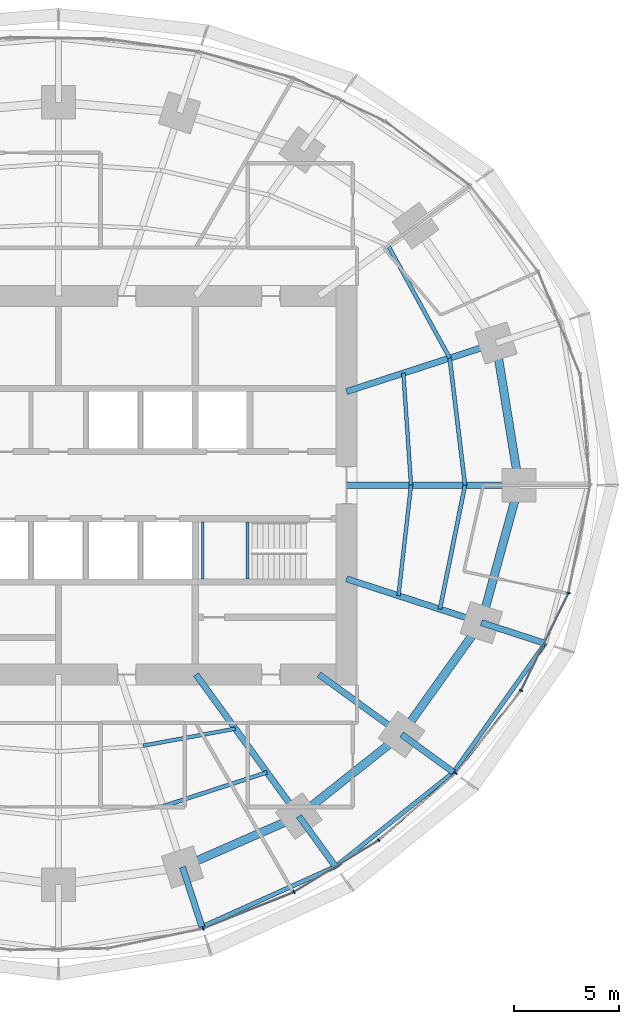
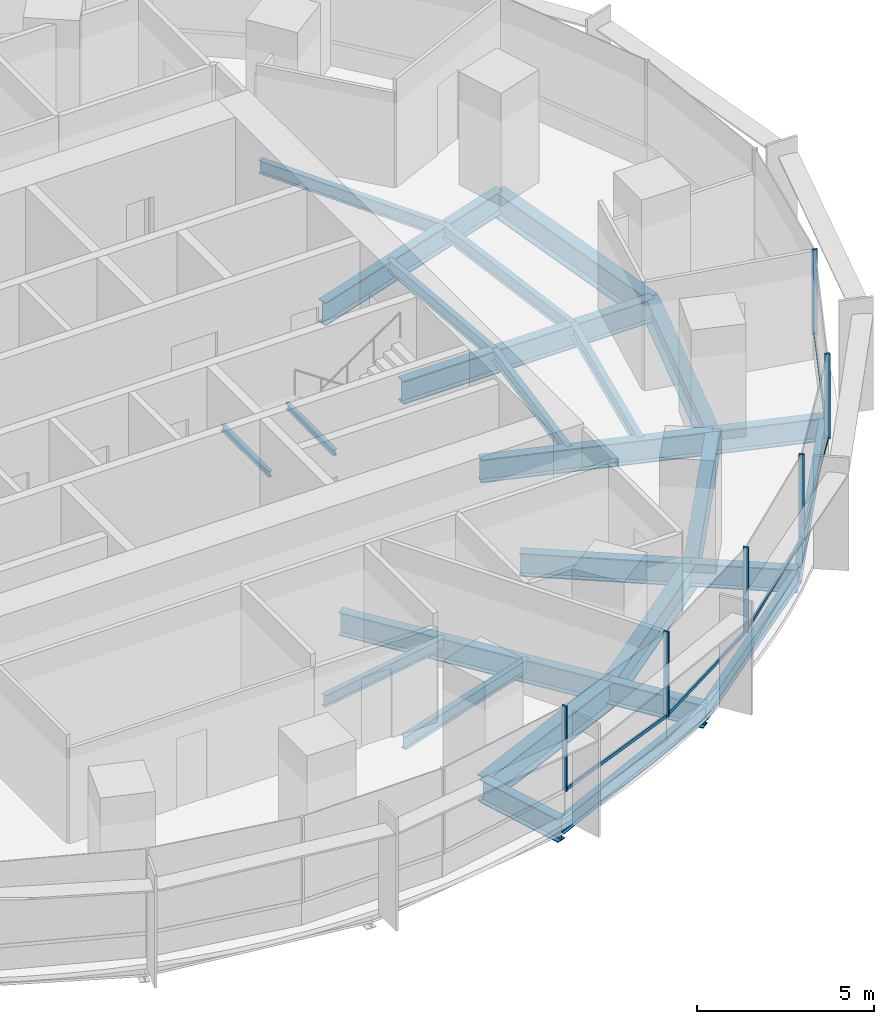
# One storey, part 5 of 14: 26 beams, 11 members, 2 elements without a shape of their own.
"""IFC4 building model written with IfcOpenShell, lengths in metres."""

import ifcopenshell
import ifcopenshell.guid

model = None  # the IFC model being written
_history = None  # IfcOwnerHistory: only IFC2X3 demands one
_inside = {}  # id of a spatial element -> (the spatial element, [elements in it])
_under = {}  # id of a project, library or spatial element -> (it, [spatial elements below it])
_declared = {}  # id of a project -> (the project, [libraries it declares])
_typed = {}  # id of a type object -> (the type object, [elements of that type])
_made_of = {}  # id of a material, layer set ... -> (it, [elements and type objects made of it])


def new_model(schema):
    """Start an empty IFC model of exactly this schema.

    Asked for "IFC4X3", IfcOpenShell would pick the latest addendum, in which some entities
    have other attributes; the version numbers below select the first issue.
    IFC2X3 requires an IfcOwnerHistory on every rooted entity: one is made here for all.
    """
    global model, _history
    if schema == "IFC4X3":
        model = ifcopenshell.file(schema_version=(4, 3, 0, 0))
    else:
        model = ifcopenshell.file(schema=schema)
    _inside.clear()
    _under.clear()
    _declared.clear()
    _typed.clear()
    _made_of.clear()
    _history = None
    if model.schema == "IFC2X3":
        org = make("IfcOrganization", Name="unknown")
        user = make(
            "IfcPersonAndOrganization",
            ThePerson=make("IfcPerson", FamilyName="unknown"),
            TheOrganization=org,
        )
        app = make(
            "IfcApplication",
            ApplicationDeveloper=org,
            Version="unknown",
            ApplicationFullName="unknown",
            ApplicationIdentifier="unknown",
        )
        _history = make(
            "IfcOwnerHistory",
            OwningUser=user,
            OwningApplication=app,
            ChangeAction="ADDED",
            CreationDate=0,
        )
    return model


def make(cls, **values):
    """One entity of the class cls with the attributes given. An attribute that is None is left unset."""
    return model.create_entity(
        cls, **{name: value for name, value in values.items() if value is not None}
    )


def rooted(cls, **values):
    """An entity with a GlobalId (a new one), such as an element, a storey or a relation."""
    return make(cls, GlobalId=ifcopenshell.guid.new(), OwnerHistory=_history, **values)


def si_unit(unit_type, name, prefix=None):
    """IfcSIUnit, for example si_unit("LENGTHUNIT", "METRE", prefix="MILLI")."""
    return make("IfcSIUnit", UnitType=unit_type, Prefix=prefix, Name=name)


def assignment(units):
    """IfcUnitAssignment: the units of a project."""
    return None if units is None else make("IfcUnitAssignment", Units=units)


def point(xyz):
    """IfcCartesianPoint."""
    return None if xyz is None else make("IfcCartesianPoint", Coordinates=xyz)


def direction(xyz):
    """IfcDirection."""
    return None if xyz is None else make("IfcDirection", DirectionRatios=xyz)


def frame(location, z_axis=None, x_axis=None):
    """IfcAxis2Placement3D, a coordinate frame: its origin and axes. An axis left out is left unset."""
    return make(
        "IfcAxis2Placement3D",
        Location=point(location),
        Axis=direction(z_axis),
        RefDirection=direction(x_axis),
    )


def frame_2d(location, x_axis=None):
    """IfcAxis2Placement2D, a coordinate frame in the plane: its origin and x axis."""
    return make(
        "IfcAxis2Placement2D", Location=point(location), RefDirection=direction(x_axis)
    )


def origin():
    """The frame at (0, 0, 0) with its axes left unset."""
    return frame((0.0, 0.0, 0.0))


def origin_2d():
    """The frame at (0, 0) in the plane with its x axis left unset."""
    return frame_2d((0.0, 0.0))


def place(relative_to, where):
    """IfcLocalPlacement: puts the frame where relative to a parent placement (None: the world)."""
    return make(
        "IfcLocalPlacement", PlacementRelTo=relative_to, RelativePlacement=where
    )


def context(
    kind, dimensions, precision=None, world=None, true_north=None, identifier=None
):
    """IfcGeometricRepresentationContext, for example the 3D "Model" context."""
    return make(
        "IfcGeometricRepresentationContext",
        ContextIdentifier=identifier,
        ContextType=kind,
        CoordinateSpaceDimension=dimensions,
        Precision=precision,
        WorldCoordinateSystem=world,
        TrueNorth=true_north,
    )


def subcontext(parent, identifier, kind, view, scale=None):
    """IfcGeometricRepresentationSubContext, for example "Body" below "Model"."""
    return make(
        "IfcGeometricRepresentationSubContext",
        ContextIdentifier=identifier,
        ContextType=kind,
        ParentContext=parent,
        TargetScale=scale,
        TargetView=view,
    )


def project(units=None, contexts=None):
    """IfcProject with its units and contexts."""
    return rooted(
        "IfcProject",
        Name="project",
        RepresentationContexts=contexts,
        UnitsInContext=assignment(units),
    )


def spatial(cls, under=None, at=None, **own):
    """A site, building, storey or space (cls), placed at a placement, below another one or the project."""
    s = rooted(cls, ObjectPlacement=at, **own)
    if under is not None:
        _under.setdefault(under.id(), (under, []))[1].append(s)
    return s


def profile(cls, at=None, kind="AREA", **sizes):
    """A parametric profile (cls). Its sizes go by their IFC names, for example OverallWidth=200.0."""
    return make(cls, ProfileType=kind, Position=at, **sizes)


def rectangle(**sizes):
    """IfcRectangleProfileDef."""
    return profile("IfcRectangleProfileDef", **sizes)


def i_section(**sizes):
    """IfcIShapeProfileDef."""
    return profile("IfcIShapeProfileDef", **sizes)


def extrude(swept, where, along, depth):
    """IfcExtrudedAreaSolid: the profile swept, set in the frame where, extruded along a direction by depth."""
    return make(
        "IfcExtrudedAreaSolid",
        SweptArea=swept,
        Position=where,
        ExtrudedDirection=direction(along),
        Depth=depth,
    )


def shape(context_of_items, identifier, shape_type, items):
    """IfcShapeRepresentation: the items that make up one representation, for example the "Body"."""
    return make(
        "IfcShapeRepresentation",
        ContextOfItems=context_of_items,
        RepresentationIdentifier=identifier,
        RepresentationType=shape_type,
        Items=items,
    )


def material(Name=None, Category=None):
    """IfcMaterial."""
    return make("IfcMaterial", Name=Name, Category=Category)


def material_profile(
    of_material, cross_section, Name=None, Category=None, Priority=None
):
    """IfcMaterialProfile: a cross section and its material."""
    return make(
        "IfcMaterialProfile",
        Name=Name,
        Material=of_material,
        Profile=cross_section,
        Priority=Priority,
        Category=Category,
    )


def profile_set(profiles, Name=None, composite=None):
    """IfcMaterialProfileSet."""
    return make(
        "IfcMaterialProfileSet",
        Name=Name,
        MaterialProfiles=profiles,
        CompositeProfile=composite,
    )


def made_of(thing, what):
    """Note that an element or type object is made of a material, layer set ...; save() writes the relation."""
    if what is not None:
        _made_of.setdefault(what.id(), (what, []))[1].append(thing)
    return thing


def type_object(cls, material=None, **own):
    """A type object (cls), such as IfcWallType, which elements share."""
    return made_of(rooted(cls, **own), material)


def element(
    cls,
    number,
    at=None,
    inside=None,
    cuts=None,
    type_object=None,
    material=None,
    context=None,
    identifier="Body",
    shape_type=None,
    held_by="IfcProductDefinitionShape",
    body=None,
    shapes=None,
    **own,
):
    """One element of the class cls, such as IfcWall. Its Tag is "e" and its number.

    at: its placement. inside: the storey or other place that contains it. cuts: it is an
    opening in that element (IfcRelVoidsElement). A single representation is given by context,
    identifier, shape_type and body (its items); several are given by shapes. held_by: the class
    of the entity that holds the representations. save() writes the other relations.
    """
    e = rooted(cls, Tag="e%d" % number, ObjectPlacement=at, **own)
    if body is not None:
        shapes = [shape(context, identifier, shape_type, body)]
    if shapes is not None:
        e.Representation = make(held_by, Representations=shapes)
    if inside is not None:
        _inside.setdefault(inside.id(), (inside, []))[1].append(e)
    if cuts is not None:
        rooted(
            "IfcRelVoidsElement", RelatingBuildingElement=cuts, RelatedOpeningElement=e
        )
    if type_object is not None:
        _typed.setdefault(type_object.id(), (type_object, []))[1].append(e)
    return made_of(e, material)


def aggregate(whole, parts):
    """IfcRelAggregates: a whole, such as a stair, and the parts it consists of."""
    return rooted("IfcRelAggregates", RelatingObject=whole, RelatedObjects=parts)


def save(model, path):
    """Write the relations noted so far, then the file.

    IfcRelAggregates (storeys below a building ...), IfcRelContainedInSpatialStructure (elements
    in a storey), IfcRelDefinesByType, IfcRelAssociatesMaterial and IfcRelDeclares: one each for
    every whole, place, type object, material and project.
    """
    for whole, parts in _under.values():
        aggregate(whole, parts)
    for where, things in _inside.values():
        rooted(
            "IfcRelContainedInSpatialStructure",
            RelatedElements=things,
            RelatingStructure=where,
        )
    for kind, things in _typed.values():
        rooted("IfcRelDefinesByType", RelatedObjects=things, RelatingType=kind)
    for what, things in _made_of.values():
        rooted("IfcRelAssociatesMaterial", RelatedObjects=things, RelatingMaterial=what)
    for by, libraries in _declared.values():
        rooted("IfcRelDeclares", RelatingContext=by, RelatedDefinitions=libraries)
    model.write(path)


model = new_model("IFC4")

# Units and contexts
model_context = context("Model", 3, precision=1e-05, world=origin(), true_north=direction((0.0, 1.0)))
body_context = subcontext(model_context, "Body", "Model", "MODEL_VIEW")
ifc_project = project(units=[si_unit("LENGTHUNIT", "METRE"), si_unit("AREAUNIT", "SQUARE_METRE"), si_unit("VOLUMEUNIT", "CUBIC_METRE"), si_unit("PLANEANGLEUNIT", "RADIAN"), si_unit("MASSUNIT", "GRAM", prefix="KILO")], contexts=[model_context])

# Site, building, storey
site_placement = place(None, origin())
site = spatial("IfcSite", under=ifc_project, at=site_placement, CompositionType="ELEMENT")
building_placement = place(site_placement, origin())
building = spatial("IfcBuilding", under=site, at=building_placement, Name="Marramba Exchange Tower", CompositionType="ELEMENT")
storey_placement = place(building_placement, frame((0.0, 0.0, 147.0)))
storey = spatial("IfcBuildingStorey", under=building, at=storey_placement, Name="L35", CompositionType="ELEMENT", Elevation=147.0)

# Beams
ifc_material_1 = material(Name="Steel AS/NZS 3679.2 grade 300", Category="steel")
ifc_material_profile_1 = material_profile(ifc_material_1, i_section(OverallWidth=0.300048828125, OverallDepth=0.800048828125, WebThickness=0.013916015625, FlangeThickness=0.031982421875, at=origin_2d()), Name="800WB192")
ifc_profile_set_1 = profile_set([ifc_material_profile_1], Name="Steel AS/NZS 3679.2 grade 300")
beam_type_1 = type_object("IfcBeamType", Name="Cantilever girder 800WB192", PredefinedType="BEAM", material=ifc_profile_set_1)
beam_1_placement = place(storey_placement, frame((5.899658203125, -18.156982421875, -0.56005859375), z_axis=(0.30903246226, -0.951051490336, 0.0), x_axis=(0.951051490336, 0.30903246226, 0.0)))
element("IfcBeam", 1, at=beam_1_placement, inside=storey, type_object=beam_type_1, Name="Cantilever girder L35 TC17", PredefinedType="BEAM", context=body_context, shape_type="SweptSolid", body=[
    extrude(i_section(OverallWidth=0.300048828125, OverallDepth=0.800048828125, WebThickness=0.013916015625, FlangeThickness=0.031982421875, at=origin_2d()), origin(), (0.0, 0.0, 1.0), 2.986328125),
])
beam_2_placement = place(storey_placement, frame((11.430419921875, -15.732666015625, -0.56005859375), z_axis=(0.587794986183, -0.8090099222, 0.0), x_axis=(0.8090099222, 0.587794986183, 0.0)))
element("IfcBeam", 2, at=beam_2_placement, inside=storey, type_object=beam_type_1, Name="Cantilever girder L35 TC18", PredefinedType="BEAM", context=body_context, shape_type="SweptSolid", body=[
    extrude(i_section(OverallWidth=0.300048828125, OverallDepth=0.800048828125, WebThickness=0.013916015625, FlangeThickness=0.031982421875, at=origin_2d()), origin(), (0.0, 0.0, 1.0), 2.9677734375),
])
beam_3_placement = place(storey_placement, frame((16.3154296875, -11.853759765625, -0.56005859375), z_axis=(0.809026231081, -0.587772538847, 0.0), x_axis=(0.587772538847, 0.809026231081, 0.0)))
element("IfcBeam", 3, at=beam_3_placement, inside=storey, type_object=beam_type_1, Name="Cantilever girder L35 TC19", PredefinedType="BEAM", context=body_context, shape_type="SweptSolid", body=[
    extrude(i_section(OverallWidth=0.300048828125, OverallDepth=0.800048828125, WebThickness=0.013916015625, FlangeThickness=0.031982421875, at=origin_2d()), origin(), (0.0, 0.0, 1.0), 3.055419921875),
])
beam_4_placement = place(storey_placement, frame((20.109375, -6.533935546875, -0.56005859375), z_axis=(0.951054839063, -0.309022156318, 0.0), x_axis=(0.309022156318, 0.951054839063, 0.0)))
element("IfcBeam", 4, at=beam_4_placement, inside=storey, type_object=beam_type_1, Name="Cantilever girder L35 TC20", PredefinedType="BEAM", context=body_context, shape_type="SweptSolid", body=[
    extrude(i_section(OverallWidth=0.300048828125, OverallDepth=0.800048828125, WebThickness=0.013916015625, FlangeThickness=0.031982421875, at=origin_2d()), origin(), (0.0, 0.0, 1.0), 3.19580078125),
])
ifc_material_2 = material(Name="Steel AS/NZS 3679.1 grade 300", Category="steel")
ifc_material_profile_2 = material_profile(ifc_material_2, i_section(OverallWidth=0.177978515625, OverallDepth=0.406005859375, WebThickness=0.0078125, FlangeThickness=0.0126953125, FilletRadius=0.011474609375, at=origin_2d()), Name="410UB59.7")
ifc_profile_set_2 = profile_set([ifc_material_profile_2], Name="Steel AS/NZS 3679.1 grade 300")
beam_type_2 = type_object("IfcBeamType", Name="Floor joist 410UB59.7", PredefinedType="JOIST", material=ifc_profile_set_2)
beam_5_placement = place(storey_placement, frame((16.7666015625, 0.0, -0.363037109375), z_axis=(-0.068096259546, 0.99767875563, 0.0), x_axis=(-0.99767875563, -0.068096259546, 0.0)))
element("IfcBeam", 5, at=beam_5_placement, inside=storey, type_object=beam_type_2, Name="Joist L35 bay 01 row 1", PredefinedType="JOIST", context=body_context, shape_type="SweptSolid", body=[
    extrude(i_section(OverallWidth=0.177978515625, OverallDepth=0.406005859375, WebThickness=0.0078125, FlangeThickness=0.0126953125, FilletRadius=0.011474609375, at=origin_2d()), origin(), (0.0, 0.0, 1.0), 5.342041015625),
])
beam_6_placement = place(storey_placement, frame((4.0244140625, -12.3857421875, -0.363037109375), z_axis=(0.983455754421, 0.181148500119, 0.0), x_axis=(-0.181148500119, 0.983455754421, 0.0)))
element("IfcBeam", 6, at=beam_6_placement, inside=storey, type_object=beam_type_2, Name="Joist L35 bay 17 row 1", PredefinedType="JOIST", context=body_context, shape_type="SweptSolid", body=[
    extrude(i_section(OverallWidth=0.177978515625, OverallDepth=0.406005859375, WebThickness=0.0078125, FlangeThickness=0.0126953125, FilletRadius=0.011474609375, at=origin_2d()), origin(), (0.0, 0.0, 1.0), 4.4609375),
])
beam_7_placement = place(storey_placement, frame((16.169677734375, -5.25390625, -0.363037109375), z_axis=(0.112888968594, 0.993607609054, 0.0), x_axis=(-0.993607609054, 0.112888968594, 0.0)))
element("IfcBeam", 7, at=beam_7_placement, inside=storey, type_object=beam_type_2, Name="Joist L35 bay 20 row 1", PredefinedType="JOIST", context=body_context, shape_type="SweptSolid", body=[
    extrude(i_section(OverallWidth=0.177978515625, OverallDepth=0.406005859375, WebThickness=0.0078125, FlangeThickness=0.0126953125, FilletRadius=0.011474609375, at=origin_2d()), origin(), (0.0, 0.0, 1.0), 5.28759765625),
])
ifc_material_profile_3 = material_profile(ifc_material_2, i_section(OverallWidth=0.18994140625, OverallDepth=0.4541015625, WebThickness=0.008544921875, FlangeThickness=0.0126953125, FilletRadius=0.011474609375, at=origin_2d()), Name="460UB67.1")
ifc_profile_set_3 = profile_set([ifc_material_profile_3], Name="Steel AS/NZS 3679.1 grade 300")
beam_type_3 = type_object("IfcBeamType", Name="Floor joist 460UB67.1", PredefinedType="JOIST", material=ifc_profile_set_3)
beam_8_placement = place(storey_placement, frame((19.333251953125, 0.0, -0.386962890625), z_axis=(-0.119523078538, 0.992831422597, 0.0), x_axis=(-0.992831422597, -0.119523078538, 0.0)))
element("IfcBeam", 8, at=beam_8_placement, inside=storey, type_object=beam_type_3, Name="Joist L35 bay 01 row 2", PredefinedType="JOIST", context=body_context, shape_type="SweptSolid", body=[
    extrude(i_section(OverallWidth=0.18994140625, OverallDepth=0.4541015625, WebThickness=0.008544921875, FlangeThickness=0.0126953125, FilletRadius=0.011474609375, at=origin_2d()), origin(), (0.0, 0.0, 1.0), 6.089111328125),
])
beam_9_placement = place(storey_placement, frame((18.60546875, 6.04541015625, -0.386962890625), z_axis=(-0.479584443791, 0.877495732909, 0.0), x_axis=(-0.877495732909, -0.479584443791, 0.0)))
element("IfcBeam", 9, at=beam_9_placement, inside=storey, type_object=beam_type_3, Name="Joist L35 bay 02 row 2", PredefinedType="JOIST", context=body_context, shape_type="SweptSolid", body=[
    extrude(i_section(OverallWidth=0.18994140625, OverallDepth=0.4541015625, WebThickness=0.008544921875, FlangeThickness=0.0126953125, FilletRadius=0.011474609375, at=origin_2d()), origin(), (0.0, 0.0, 1.0), 6.094970703125),
])
beam_10_placement = place(storey_placement, frame((4.9619140625, -15.271484375, -0.386962890625), z_axis=(0.950764024931, 0.309915744834, 0.0), x_axis=(-0.309915744834, 0.950764024931, 0.0)))
element("IfcBeam", 10, at=beam_10_placement, inside=storey, type_object=beam_type_3, Name="Joist L35 bay 17 row 2", PredefinedType="JOIST", context=body_context, shape_type="SweptSolid", body=[
    extrude(i_section(OverallWidth=0.18994140625, OverallDepth=0.4541015625, WebThickness=0.008544921875, FlangeThickness=0.0126953125, FilletRadius=0.011474609375, at=origin_2d()), origin(), (0.0, 0.0, 1.0), 5.2158203125),
])
beam_11_placement = place(storey_placement, frame((18.1396484375, -5.893798828125, -0.386962890625), z_axis=(0.198489047047, 0.980103105904, 0.0), x_axis=(-0.980103105904, 0.198489047047, 0.0)))
element("IfcBeam", 11, at=beam_11_placement, inside=storey, type_object=beam_type_3, Name="Joist L35 bay 20 row 2", PredefinedType="JOIST", context=body_context, shape_type="SweptSolid", body=[
    extrude(i_section(OverallWidth=0.18994140625, OverallDepth=0.4541015625, WebThickness=0.008544921875, FlangeThickness=0.0126953125, FilletRadius=0.011474609375, at=origin_2d()), origin(), (0.0, 0.0, 1.0), 6.013427734375),
])

# Curtain wall, member
ifc_material_3 = material(Name="Aluminium framing, bronze anodised", Category="aluminium")
curtain_wall_type = type_object("IfcCurtainWallType", Name="Office ribbon curtain wall", PredefinedType="USERDEFINED", material=ifc_material_3)
curtain_wall_1_placement = place(storey_placement, origin())
curtain_wall_1 = element("IfcCurtainWall", 12, at=curtain_wall_1_placement, inside=storey, type_object=curtain_wall_type, Name="Curtain wall CW4 L35 F21-F25", ObjectType="RIBBON CURTAIN WALL", PredefinedType="USERDEFINED")
ifc_material_4 = material(Name="Aluminium mullion, bronze anodised", Category="aluminium")
ifc_material_profile_4 = material_profile(ifc_material_4, rectangle(XDim=0.159912109375, YDim=0.06005859375, at=origin_2d()), Name="CW4 mullion 60x160")
ifc_profile_set_4 = profile_set([ifc_material_profile_4], Name="Aluminium mullion, bronze anodised")
member_type_1 = type_object("IfcMemberType", Name="Office ribbon curtain wall mullion", PredefinedType="MULLION", material=ifc_profile_set_4)
member_1_placement = place(storey_placement, frame((6.881103515625, -21.0810546875, 0.800048828125), z_axis=(0.0, 0.0, 1.0), x_axis=(-0.372209067082, 0.928148916059, 0.0)))
member_1 = element("IfcMember", 13, at=member_1_placement, type_object=member_type_1, Name="CW4 mullion 1", PredefinedType="MULLION", context=body_context, shape_type="SweptSolid", body=[
    extrude(rectangle(XDim=0.159912109375, YDim=0.06005859375, at=origin_2d()), origin(), (0.0, 0.0, 1.0), 2.93994140625),
])

# Curtain wall, members
curtain_wall_2_placement = place(storey_placement, origin())
curtain_wall_2 = element("IfcCurtainWall", 14, at=curtain_wall_2_placement, inside=storey, type_object=curtain_wall_type, Name="Curtain wall CW4 L35 F26-F30", ObjectType="RIBBON CURTAIN WALL", PredefinedType="USERDEFINED")
member_2_placement = place(storey_placement, frame((11.2021484375, -19.3427734375, 0.800048828125), z_axis=(0.0, 0.0, 1.0), x_axis=(-0.521732535664, 0.853109114492, 0.0)))
member_2 = element("IfcMember", 15, at=member_2_placement, type_object=member_type_1, Name="CW4 mullion 1", PredefinedType="MULLION", context=body_context, shape_type="SweptSolid", body=[
    extrude(rectangle(XDim=0.159912109375, YDim=0.06005859375, at=origin_2d()), origin(), (0.0, 0.0, 1.0), 2.93994140625),
])
member_3_placement = place(storey_placement, frame((15.232177734375, -16.872314453125, 0.800048828125), z_axis=(0.0, 0.0, 1.0), x_axis=(-0.656431647438, 0.754385506384, 0.0)))
member_3 = element("IfcMember", 16, at=member_3_placement, type_object=member_type_1, Name="CW4 mullion 1", PredefinedType="MULLION", context=body_context, shape_type="SweptSolid", body=[
    extrude(rectangle(XDim=0.159912109375, YDim=0.06005859375, at=origin_2d()), origin(), (0.0, 0.0, 1.0), 2.93994140625),
])
member_4_placement = place(storey_placement, frame((18.886962890625, -13.68505859375, 0.800048828125), z_axis=(0.0, 0.0, 1.0), x_axis=(-0.783170139469, 0.621807472329, 0.0)))
member_4 = element("IfcMember", 17, at=member_4_placement, type_object=member_type_1, Name="CW4 mullion 1", PredefinedType="MULLION", context=body_context, shape_type="SweptSolid", body=[
    extrude(rectangle(XDim=0.159912109375, YDim=0.06005859375, at=origin_2d()), origin(), (0.0, 0.0, 1.0), 2.93994140625),
])
member_5_placement = place(storey_placement, frame((21.994873046875, -9.760009765625, 0.800048828125), z_axis=(0.0, 0.0, 1.0), x_axis=(-0.89844486976, 0.439086342308, 0.0)))
member_5 = element("IfcMember", 18, at=member_5_placement, type_object=member_type_1, Name="CW4 mullion 1", PredefinedType="MULLION", context=body_context, shape_type="SweptSolid", body=[
    extrude(rectangle(XDim=0.159912109375, YDim=0.06005859375, at=origin_2d()), origin(), (0.0, 0.0, 1.0), 2.93994140625),
])
member_6_placement = place(storey_placement, frame((24.252197265625, -5.124267578125, 0.800048828125), z_axis=(0.0, 0.0, 1.0), x_axis=(-0.980393739376, 0.197048511267, 0.0)))
member_6 = element("IfcMember", 19, at=member_6_placement, type_object=member_type_1, Name="CW4 mullion 1", PredefinedType="MULLION", context=body_context, shape_type="SweptSolid", body=[
    extrude(rectangle(XDim=0.159912109375, YDim=0.06005859375, at=origin_2d()), origin(), (0.0, 0.0, 1.0), 2.93994140625),
])

# Member
ifc_material_5 = material(Name="Aluminium transom, bronze anodised", Category="aluminium")
ifc_material_profile_5 = material_profile(ifc_material_5, rectangle(XDim=0.06005859375, YDim=0.1201171875, at=origin_2d()), Name="CW4 transom 60x120")
ifc_profile_set_5 = profile_set([ifc_material_profile_5], Name="Aluminium transom, bronze anodised")
member_type_2 = type_object("IfcMemberType", Name="Office ribbon curtain wall transom", PredefinedType="USERDEFINED", material=ifc_profile_set_5)
member_7_placement = place(storey_placement, frame((6.908935546875, -21.06982421875, 0.830078125), z_axis=(0.928146753748, 0.372214459026, 0.0), x_axis=(-0.372214459026, 0.928146753748, 0.0)))
member_7 = element("IfcMember", 20, at=member_7_placement, type_object=member_type_2, Name="CW4 sill transom", ObjectType="TRANSOM", PredefinedType="USERDEFINED", context=body_context, shape_type="SweptSolid", body=[
    extrude(rectangle(XDim=0.06005859375, YDim=0.1201171875, at=origin_2d()), origin(), (0.0, 0.0, 1.0), 4.597900390625),
])

aggregate(curtain_wall_1, [member_1, member_7])

member_8_placement = place(storey_placement, frame((11.227783203125, -19.3271484375, 0.830078125), z_axis=(0.853124051379, 0.52170811088, 0.0), x_axis=(-0.52170811088, 0.853124051379, 0.0)))
member_8 = element("IfcMember", 21, at=member_8_placement, type_object=member_type_2, Name="CW4 sill transom", ObjectType="TRANSOM", PredefinedType="USERDEFINED", context=body_context, shape_type="SweptSolid", body=[
    extrude(rectangle(XDim=0.06005859375, YDim=0.1201171875, at=origin_2d()), origin(), (0.0, 0.0, 1.0), 4.66748046875),
])

member_9_placement = place(storey_placement, frame((15.2548828125, -16.8525390625, 0.830078125), z_axis=(0.754392594189, 0.65642350189, 0.0), x_axis=(-0.65642350189, 0.754392594189, 0.0)))
member_9 = element("IfcMember", 22, at=member_9_placement, type_object=member_type_2, Name="CW4 sill transom", ObjectType="TRANSOM", PredefinedType="USERDEFINED", context=body_context, shape_type="SweptSolid", body=[
    extrude(rectangle(XDim=0.06005859375, YDim=0.1201171875, at=origin_2d()), origin(), (0.0, 0.0, 1.0), 4.78955078125),
])

member_10_placement = place(storey_placement, frame((18.905517578125, -13.66162109375, 0.830078125), z_axis=(0.621777997945, 0.783193540111, 0.0), x_axis=(-0.783193540111, 0.621777997945, 0.0)))
member_10 = element("IfcMember", 23, at=member_10_placement, type_object=member_type_2, Name="CW4 sill transom", ObjectType="TRANSOM", PredefinedType="USERDEFINED", context=body_context, shape_type="SweptSolid", body=[
    extrude(rectangle(XDim=0.06005859375, YDim=0.1201171875, at=origin_2d()), origin(), (0.0, 0.0, 1.0), 4.947265625),
])

member_11_placement = place(storey_placement, frame((22.008056640625, -9.73291015625, 0.830078125), z_axis=(0.439090714557, 0.898442732949, 0.0), x_axis=(-0.898442732949, 0.439090714557, 0.0)))
member_11 = element("IfcMember", 24, at=member_11_placement, type_object=member_type_2, Name="CW4 sill transom", ObjectType="TRANSOM", PredefinedType="USERDEFINED", context=body_context, shape_type="SweptSolid", body=[
    extrude(rectangle(XDim=0.06005859375, YDim=0.1201171875, at=origin_2d()), origin(), (0.0, 0.0, 1.0), 5.096923828125),
])

aggregate(curtain_wall_2, [member_2, member_8, member_3, member_9, member_4, member_10, member_5, member_11, member_6])

# Beams
ifc_material_profile_6 = material_profile(ifc_material_1, i_section(OverallWidth=0.300048828125, OverallDepth=0.800048828125, WebThickness=0.013916015625, FlangeThickness=0.031982421875, at=origin_2d()), Name="800WB192")
ifc_profile_set_6 = profile_set([ifc_material_profile_6], Name="Steel AS/NZS 3679.2 grade 300")
beam_type_4 = type_object("IfcBeamType", Name="Radial girder 800WB192", PredefinedType="BEAM", material=ifc_profile_set_6)
beam_12_placement = place(storey_placement, frame((13.699951171875, 0.0, -0.56005859375), z_axis=(1.0, 0.0, 0.0), x_axis=(0.0, 1.0, 0.0)))
element("IfcBeam", 25, at=beam_12_placement, inside=storey, type_object=beam_type_4, Name="Radial girder L35 TC01", PredefinedType="BEAM", context=body_context, shape_type="SweptSolid", body=[
    extrude(i_section(OverallWidth=0.300048828125, OverallDepth=0.800048828125, WebThickness=0.013916015625, FlangeThickness=0.031982421875, at=origin_2d()), origin(), (0.0, 0.0, 1.0), 8.199951171875),
])
beam_13_placement = place(storey_placement, frame((13.699951171875, 4.451416015625, -0.56005859375), z_axis=(0.951059990189, 0.309006302624, 0.0), x_axis=(-0.309006302624, 0.951059990189, 0.0)))
element("IfcBeam", 26, at=beam_13_placement, inside=storey, type_object=beam_type_4, Name="Radial girder L35 TC02", PredefinedType="BEAM", context=body_context, shape_type="SweptSolid", body=[
    extrude(i_section(OverallWidth=0.300048828125, OverallDepth=0.800048828125, WebThickness=0.013916015625, FlangeThickness=0.031982421875, at=origin_2d()), origin(), (0.0, 0.0, 1.0), 7.47412109375),
])
beam_14_placement = place(storey_placement, frame((6.538818359375, -9.0, -0.56005859375), z_axis=(0.587787877172, -0.809015087282, 0.0), x_axis=(0.809015087282, 0.587787877172, 0.0)))
element("IfcBeam", 27, at=beam_14_placement, inside=storey, type_object=beam_type_4, Name="Radial girder L35 TC18", PredefinedType="BEAM", context=body_context, shape_type="SweptSolid", body=[
    extrude(i_section(OverallWidth=0.300048828125, OverallDepth=0.800048828125, WebThickness=0.013916015625, FlangeThickness=0.031982421875, at=origin_2d()), origin(), (0.0, 0.0, 1.0), 8.322021484375),
])
beam_15_placement = place(storey_placement, frame((12.387451171875, -9.0, -0.56005859375), z_axis=(0.809025189606, -0.58777397236, 0.0), x_axis=(0.58777397236, 0.809025189606, 0.0)))
element("IfcBeam", 28, at=beam_15_placement, inside=storey, type_object=beam_type_4, Name="Radial girder L35 TC19", PredefinedType="BEAM", context=body_context, shape_type="SweptSolid", body=[
    extrude(i_section(OverallWidth=0.300048828125, OverallDepth=0.800048828125, WebThickness=0.013916015625, FlangeThickness=0.031982421875, at=origin_2d()), origin(), (0.0, 0.0, 1.0), 4.855224609375),
])
beam_16_placement = place(storey_placement, frame((13.699951171875, -4.451416015625, -0.56005859375), z_axis=(0.951057759669, -0.309013167637, 0.0), x_axis=(0.309013167637, 0.951057759669, 0.0)))
element("IfcBeam", 29, at=beam_16_placement, inside=storey, type_object=beam_type_4, Name="Radial girder L35 TC20", PredefinedType="BEAM", context=body_context, shape_type="SweptSolid", body=[
    extrude(i_section(OverallWidth=0.300048828125, OverallDepth=0.800048828125, WebThickness=0.013916015625, FlangeThickness=0.031982421875, at=origin_2d()), origin(), (0.0, 0.0, 1.0), 6.7392578125),
])
ifc_material_profile_7 = material_profile(ifc_material_1, i_section(OverallWidth=0.39990234375, OverallDepth=0.89990234375, WebThickness=0.01611328125, FlangeThickness=0.031982421875, at=origin_2d()), Name="900WB282")
ifc_profile_set_7 = profile_set([ifc_material_profile_7], Name="Steel AS/NZS 3679.2 grade 300")
beam_type_5 = type_object("IfcBeamType", Name="Ring beam 900WB282", PredefinedType="SPANDREL", material=ifc_profile_set_7)
beam_17_placement = place(storey_placement, frame((21.89990234375, 0.0, -0.610107421875), z_axis=(-0.159384865399, 0.987216523708, 0.0), x_axis=(-0.987216523708, -0.159384865399, 0.0)))
element("IfcBeam", 30, at=beam_17_placement, inside=storey, type_object=beam_type_5, Name="Ring beam L35 TC01-TC02", PredefinedType="SPANDREL", context=body_context, shape_type="SweptSolid", body=[
    extrude(i_section(OverallWidth=0.39990234375, OverallDepth=0.89990234375, WebThickness=0.01611328125, FlangeThickness=0.031982421875, at=origin_2d()), origin(), (0.0, 0.0, 1.0), 6.8486328125),
])
beam_18_placement = place(storey_placement, frame((5.899658203125, -18.156982421875, -0.610107421875), z_axis=(0.915876892158, 0.4014592363, 0.0), x_axis=(-0.4014592363, 0.915876892158, 0.0)))
element("IfcBeam", 31, at=beam_18_placement, inside=storey, type_object=beam_type_5, Name="Ring beam L35 TC17-TC18", PredefinedType="SPANDREL", context=body_context, shape_type="SweptSolid", body=[
    extrude(i_section(OverallWidth=0.39990234375, OverallDepth=0.89990234375, WebThickness=0.01611328125, FlangeThickness=0.031982421875, at=origin_2d()), origin(), (0.0, 0.0, 1.0), 6.038818359375),
])
beam_19_placement = place(storey_placement, frame((11.430419921875, -15.732666015625, -0.610107421875), z_axis=(0.783139438128, 0.621846138887, 0.0), x_axis=(-0.621846138887, 0.783139438128, 0.0)))
element("IfcBeam", 32, at=beam_19_placement, inside=storey, type_object=beam_type_5, Name="Ring beam L35 TC18-TC19", PredefinedType="SPANDREL", context=body_context, shape_type="SweptSolid", body=[
    extrude(i_section(OverallWidth=0.39990234375, OverallDepth=0.89990234375, WebThickness=0.01611328125, FlangeThickness=0.031982421875, at=origin_2d()), origin(), (0.0, 0.0, 1.0), 6.23779296875),
])
beam_20_placement = place(storey_placement, frame((16.3154296875, -11.853759765625, -0.610107421875), z_axis=(0.580637181111, 0.814162430914, 0.0), x_axis=(-0.814162430914, 0.580637181111, 0.0)))
element("IfcBeam", 33, at=beam_20_placement, inside=storey, type_object=beam_type_5, Name="Ring beam L35 TC19-TC20", PredefinedType="SPANDREL", context=body_context, shape_type="SweptSolid", body=[
    extrude(i_section(OverallWidth=0.39990234375, OverallDepth=0.89990234375, WebThickness=0.01611328125, FlangeThickness=0.031982421875, at=origin_2d()), origin(), (0.0, 0.0, 1.0), 6.5341796875),
])
beam_21_placement = place(storey_placement, frame((20.109375, -6.533935546875, -0.610107421875), z_axis=(0.264291166956, 0.964442937176, 0.0), x_axis=(-0.964442937176, 0.264291166956, 0.0)))
element("IfcBeam", 34, at=beam_21_placement, inside=storey, type_object=beam_type_5, Name="Ring beam L35 TC20-TC01", PredefinedType="SPANDREL", context=body_context, shape_type="SweptSolid", body=[
    extrude(i_section(OverallWidth=0.39990234375, OverallDepth=0.89990234375, WebThickness=0.01611328125, FlangeThickness=0.031982421875, at=origin_2d()), origin(), (0.0, 0.0, 1.0), 6.77490234375),
])
ifc_material_profile_8 = material_profile(ifc_material_2, i_section(OverallWidth=0.208984375, OverallDepth=0.528076171875, WebThickness=0.009521484375, FlangeThickness=0.01318359375, FilletRadius=0.013916015625, at=origin_2d()), Name="530UB82.0")
ifc_profile_set_8 = profile_set([ifc_material_profile_8], Name="Steel AS/NZS 3679.1 grade 300")
beam_type_6 = type_object("IfcBeamType", Name="Slab edge beam 530UB82.0", PredefinedType="SPANDREL", material=ifc_profile_set_8)
beam_22_placement = place(storey_placement, frame((6.822509765625, -20.9970703125, -0.424072265625), z_axis=(0.911653171624, 0.410960453898, 0.0), x_axis=(-0.410960453898, 0.911653171624, 0.0)))
element("IfcBeam", 35, at=beam_22_placement, inside=storey, type_object=beam_type_6, Name="Slab edge beam L35 TC17-TC18", PredefinedType="SPANDREL", context=body_context, shape_type="SweptSolid", body=[
    extrude(i_section(OverallWidth=0.208984375, OverallDepth=0.528076171875, WebThickness=0.009521484375, FlangeThickness=0.01318359375, FilletRadius=0.013916015625, at=origin_2d()), origin(), (0.0, 0.0, 1.0), 6.9677734375),
])
beam_23_placement = place(storey_placement, frame((13.1748046875, -18.133544921875, -0.424072265625), z_axis=(0.781286404457, 0.624172695822, 0.0), x_axis=(-0.624172695822, 0.781286404457, 0.0)))
element("IfcBeam", 36, at=beam_23_placement, inside=storey, type_object=beam_type_6, Name="Slab edge beam L35 TC18-TC19", PredefinedType="SPANDREL", context=body_context, shape_type="SweptSolid", body=[
    extrude(i_section(OverallWidth=0.208984375, OverallDepth=0.528076171875, WebThickness=0.009521484375, FlangeThickness=0.01318359375, FilletRadius=0.013916015625, at=origin_2d()), origin(), (0.0, 0.0, 1.0), 7.183837890625),
])
beam_24_placement = place(storey_placement, frame((18.787353515625, -13.649658203125, -0.424072265625), z_axis=(0.579834168245, 0.814734519543, 0.0), x_axis=(-0.814734519543, 0.579834168245, 0.0)))
element("IfcBeam", 37, at=beam_24_placement, inside=storey, type_object=beam_type_6, Name="Slab edge beam L35 TC19-TC20", PredefinedType="SPANDREL", context=body_context, shape_type="SweptSolid", body=[
    extrude(i_section(OverallWidth=0.208984375, OverallDepth=0.528076171875, WebThickness=0.009521484375, FlangeThickness=0.01318359375, FilletRadius=0.013916015625, at=origin_2d()), origin(), (0.0, 0.0, 1.0), 7.521728515625),
])
ifc_material_profile_9 = material_profile(ifc_material_2, i_section(OverallWidth=0.133056640625, OverallDepth=0.202880859375, WebThickness=0.005859375, FlangeThickness=0.0078125, FilletRadius=0.0087890625, at=origin_2d()), Name="200UB25.4")
ifc_profile_set_9 = profile_set([ifc_material_profile_9], Name="Steel AS/NZS 3679.1 grade 300")
beam_type_7 = type_object("IfcBeamType", Name="Stair landing beam 200UB25.4", PredefinedType="BEAM", material=ifc_profile_set_9)
for number, where, z_axis, x_axis, name in (
    (38, (6.866455078125, -4.449951171875, 1.6484375), (0.0, 1.0, 0.0), (-1.0, 0.0, 0.0), "Stair landing beam SLB1 ST2 L35 1"),
    (39, (8.9833984375, -4.449951171875, 1.6484375), (0.0, 1.0, 0.0), (-1.0, 0.0, 0.0), "Stair landing beam SLB1 ST2 L35 2"),
):
    element("IfcBeam", number, at=place(storey_placement, frame(where, z_axis=z_axis, x_axis=x_axis)), inside=storey, type_object=beam_type_7, Name=name, PredefinedType="BEAM", context=body_context, shape_type="SweptSolid", body=[
        extrude(i_section(OverallWidth=0.133056640625, OverallDepth=0.202880859375, WebThickness=0.005859375, FlangeThickness=0.0078125, FilletRadius=0.0087890625, at=origin_2d()), origin(), (0.0, 0.0, 1.0), 2.699951171875),
    ])

save(model, "model.ifc")
